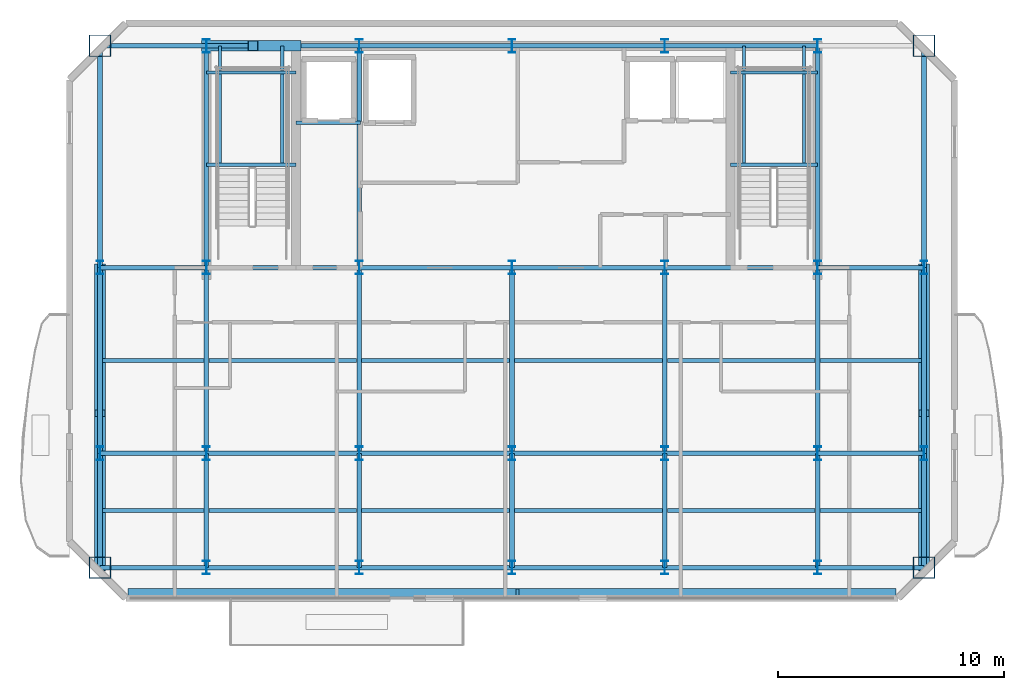
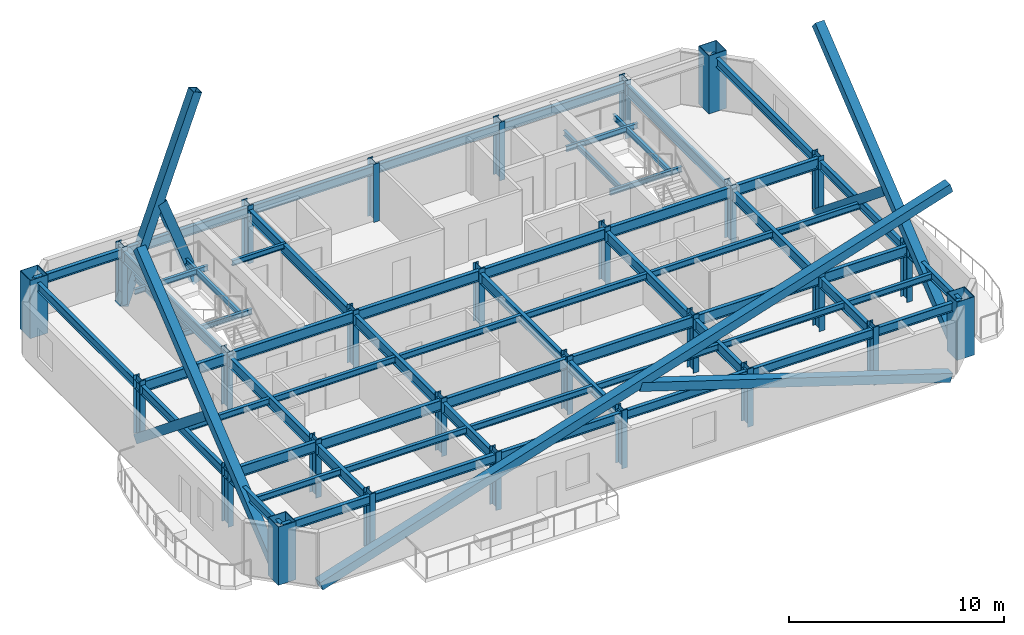
# One storey, part 1 of 7: 63 beams, 28 columns, 8 members.
"""IFC4 building model written with IfcOpenShell, lengths in metres."""

from ifc_helpers import new_model, si_unit, direction, frame, origin, origin_2d, place, context, subcontext, project, spatial, hollow_rectangle, i_section, extrude, material, material_profile, profile_set, type_object, element, save


model = new_model("IFC4")

# Units and contexts
model_context = context("Model", 3, precision=1e-05, world=origin(), true_north=direction((0.0, 1.0)))
body_context = subcontext(model_context, "Body", "Model", "MODEL_VIEW")
ifc_project = project(units=[si_unit("LENGTHUNIT", "METRE"), si_unit("AREAUNIT", "SQUARE_METRE"), si_unit("VOLUMEUNIT", "CUBIC_METRE"), si_unit("PLANEANGLEUNIT", "RADIAN"), si_unit("MASSUNIT", "GRAM", prefix="KILO")], contexts=[model_context])

# Site, building, storey
site_placement = place(None, origin())
site = spatial("IfcSite", under=ifc_project, at=site_placement, CompositionType="ELEMENT")
building_placement = place(site_placement, origin())
building = spatial("IfcBuilding", under=site, at=building_placement, Name="Haevon Station Towers", CompositionType="ELEMENT")
storey_placement = place(building_placement, frame((0.0, 0.0, 259.199951171875)))
storey = spatial("IfcBuildingStorey", under=building, at=storey_placement, Name="L72", CompositionType="ELEMENT", Elevation=259.199951171875)

# Columns
ifc_material_1 = material(Name="Steel S460", Category="steel")
ifc_material_profile_1 = material_profile(ifc_material_1, hollow_rectangle(XDim=0.949951171875, YDim=0.949951171875, WallThickness=0.028076171875, at=origin_2d()), Name="BOX-950x950x28")
ifc_profile_set_1 = profile_set([ifc_material_profile_1], Name="Steel S460")
column_type_1 = type_object("IfcColumnType", Name="COL-MC6", PredefinedType="COLUMN", material=ifc_profile_set_1)
for number, where, z_axis, x_axis, name in (
    (1, (19.300048828125, 24.949951171875, 0.0), (0.0, 0.0, 1.0), (1.0, 0.0, 0.0), "COL-T1-L72-01-01"),
    (2, (19.300048828125, 48.0, 0.0), (0.0, 0.0, 1.0), (1.0, 0.0, 0.0), "COL-T1-L72-01-04"),
    (3, (55.699951171875, 24.949951171875, 0.0), (0.0, 0.0, 1.0), (1.0, 0.0, 0.0), "COL-T1-L72-07-01"),
    (4, (55.699951171875, 48.0, 0.0), (0.0, 0.0, 1.0), (1.0, 0.0, 0.0), "COL-T1-L72-07-04"),
):
    element("IfcColumn", number, at=place(storey_placement, frame(where, z_axis=z_axis, x_axis=x_axis)), inside=storey, type_object=column_type_1, Name=name, PredefinedType="COLUMN", context=body_context, shape_type="SweptSolid", body=[
        extrude(hollow_rectangle(XDim=0.949951171875, YDim=0.949951171875, WallThickness=0.028076171875, at=origin_2d()), origin(), (0.0, 0.0, 1.0), 3.300048828125),
    ])
ifc_material_2 = material(Name="Steel S355", Category="steel")
ifc_material_profile_2 = material_profile(ifc_material_2, i_section(OverallWidth=0.300048828125, OverallDepth=0.60009765625, WebThickness=0.013916015625, FlangeThickness=0.02490234375, at=origin_2d()), Name="H-600x300x14x25")
ifc_profile_set_2 = profile_set([ifc_material_profile_2], Name="Steel S355")
column_type_2 = type_object("IfcColumnType", Name="COL-TW4", PredefinedType="COLUMN", material=ifc_profile_set_2)
for number, where, z_axis, x_axis, name in (
    (5, (19.300048828125, 30.0, 0.0), (0.0, 0.0, 1.0), (1.0, 0.0, 0.0), "COL-T1-L72-01-02"),
    (6, (19.300048828125, 38.199951171875, 0.0), (0.0, 0.0, 1.0), (1.0, 0.0, 0.0), "COL-T1-L72-01-03"),
    (7, (24.0, 24.949951171875, 0.0), (0.0, 0.0, 1.0), (1.0, 0.0, 0.0), "COL-T1-L72-02-01"),
    (8, (24.0, 30.0, 0.0), (0.0, 0.0, 1.0), (1.0, 0.0, 0.0), "COL-T1-L72-02-02"),
    (9, (24.0, 38.199951171875, 0.0), (0.0, 0.0, 1.0), (1.0, 0.0, 0.0), "COL-T1-L72-02-03"),
    (10, (24.0, 48.0, 0.0), (0.0, 0.0, 1.0), (1.0, 0.0, 0.0), "COL-T1-L72-02-04"),
    (11, (30.75, 24.949951171875, 0.0), (0.0, 0.0, 1.0), (1.0, 0.0, 0.0), "COL-T1-L72-03-01"),
    (12, (30.75, 30.0, 0.0), (0.0, 0.0, 1.0), (1.0, 0.0, 0.0), "COL-T1-L72-03-02"),
    (13, (30.75, 38.199951171875, 0.0), (0.0, 0.0, 1.0), (1.0, 0.0, 0.0), "COL-T1-L72-03-03"),
    (14, (30.75, 48.0, 0.0), (0.0, 0.0, 1.0), (1.0, 0.0, 0.0), "COL-T1-L72-03-04"),
    (15, (37.5, 24.949951171875, 0.0), (0.0, 0.0, 1.0), (1.0, 0.0, 0.0), "COL-T1-L72-04-01"),
    (16, (37.5, 30.0, 0.0), (0.0, 0.0, 1.0), (1.0, 0.0, 0.0), "COL-T1-L72-04-02"),
    (17, (37.5, 38.199951171875, 0.0), (0.0, 0.0, 1.0), (1.0, 0.0, 0.0), "COL-T1-L72-04-03"),
    (18, (37.5, 48.0, 0.0), (0.0, 0.0, 1.0), (1.0, 0.0, 0.0), "COL-T1-L72-04-04"),
    (19, (44.25, 24.949951171875, 0.0), (0.0, 0.0, 1.0), (1.0, 0.0, 0.0), "COL-T1-L72-05-01"),
    (20, (44.25, 30.0, 0.0), (0.0, 0.0, 1.0), (1.0, 0.0, 0.0), "COL-T1-L72-05-02"),
    (21, (44.25, 38.199951171875, 0.0), (0.0, 0.0, 1.0), (1.0, 0.0, 0.0), "COL-T1-L72-05-03"),
    (22, (44.25, 48.0, 0.0), (0.0, 0.0, 1.0), (1.0, 0.0, 0.0), "COL-T1-L72-05-04"),
    (23, (51.0, 24.949951171875, 0.0), (0.0, 0.0, 1.0), (1.0, 0.0, 0.0), "COL-T1-L72-06-01"),
    (24, (51.0, 30.0, 0.0), (0.0, 0.0, 1.0), (1.0, 0.0, 0.0), "COL-T1-L72-06-02"),
    (25, (51.0, 38.199951171875, 0.0), (0.0, 0.0, 1.0), (1.0, 0.0, 0.0), "COL-T1-L72-06-03"),
    (26, (51.0, 48.0, 0.0), (0.0, 0.0, 1.0), (1.0, 0.0, 0.0), "COL-T1-L72-06-04"),
    (27, (55.699951171875, 30.0, 0.0), (0.0, 0.0, 1.0), (1.0, 0.0, 0.0), "COL-T1-L72-07-02"),
    (28, (55.699951171875, 38.199951171875, 0.0), (0.0, 0.0, 1.0), (1.0, 0.0, 0.0), "COL-T1-L72-07-03"),
):
    element("IfcColumn", number, at=place(storey_placement, frame(where, z_axis=z_axis, x_axis=x_axis)), inside=storey, type_object=column_type_2, Name=name, PredefinedType="COLUMN", context=body_context, shape_type="SweptSolid", body=[
        extrude(i_section(OverallWidth=0.300048828125, OverallDepth=0.60009765625, WebThickness=0.013916015625, FlangeThickness=0.02490234375, at=origin_2d()), origin(), (0.0, 0.0, 1.0), 3.300048828125),
    ])

# Beams
ifc_material_profile_3 = material_profile(ifc_material_2, i_section(OverallWidth=0.199951171875, OverallDepth=0.60009765625, WebThickness=0.010986328125, FlangeThickness=0.01708984375, at=origin_2d()), Name="H-600x200x11x17")
ifc_profile_set_3 = profile_set([ifc_material_profile_3], Name="Steel S355")
beam_type_1 = type_object("IfcBeamType", Name="BM-G600", PredefinedType="BEAM", material=ifc_profile_set_3)
beam_1_placement = place(storey_placement, frame((19.300048828125, 30.0, 2.75), z_axis=(1.0, 0.0, 0.0), x_axis=(0.0, 1.0, 0.0)))
element("IfcBeam", 29, at=beam_1_placement, inside=storey, type_object=beam_type_1, Name="BM-T1U-L72-02-01", PredefinedType="BEAM", context=body_context, shape_type="SweptSolid", body=[
    extrude(i_section(OverallWidth=0.199951171875, OverallDepth=0.60009765625, WebThickness=0.010986328125, FlangeThickness=0.01708984375, at=origin_2d()), origin(), (0.0, 0.0, 1.0), 4.699951171875),
])
for number, where, z_axis, x_axis, name in (
    (30, (24.0, 30.0, 2.75), (1.0, 0.0, 0.0), (0.0, 1.0, 0.0), "BM-T1U-L72-02-02"),
    (31, (30.75, 30.0, 2.75), (1.0, 0.0, 0.0), (0.0, 1.0, 0.0), "BM-T1U-L72-02-03"),
    (32, (37.5, 30.0, 2.75), (1.0, 0.0, 0.0), (0.0, 1.0, 0.0), "BM-T1U-L72-02-04"),
    (33, (44.25, 30.0, 2.75), (1.0, 0.0, 0.0), (0.0, 1.0, 0.0), "BM-T1U-L72-02-05"),
):
    element("IfcBeam", number, at=place(storey_placement, frame(where, z_axis=z_axis, x_axis=x_axis)), inside=storey, type_object=beam_type_1, Name=name, PredefinedType="BEAM", context=body_context, shape_type="SweptSolid", body=[
        extrude(i_section(OverallWidth=0.199951171875, OverallDepth=0.60009765625, WebThickness=0.010986328125, FlangeThickness=0.01708984375, at=origin_2d()), origin(), (0.0, 0.0, 1.0), 6.75),
    ])
for number, where, z_axis, x_axis, name in (
    (34, (51.0, 30.0, 2.75), (1.0, 0.0, 0.0), (0.0, 1.0, 0.0), "BM-T1U-L72-02-06"),
    (35, (19.300048828125, 38.199951171875, 2.75), (1.0, 0.0, 0.0), (0.0, 1.0, 0.0), "BM-T1U-L72-03-01"),
):
    element("IfcBeam", number, at=place(storey_placement, frame(where, z_axis=z_axis, x_axis=x_axis)), inside=storey, type_object=beam_type_1, Name=name, PredefinedType="BEAM", context=body_context, shape_type="SweptSolid", body=[
        extrude(i_section(OverallWidth=0.199951171875, OverallDepth=0.60009765625, WebThickness=0.010986328125, FlangeThickness=0.01708984375, at=origin_2d()), origin(), (0.0, 0.0, 1.0), 4.699951171875),
    ])
for number, where, z_axis, x_axis, name in (
    (36, (24.0, 38.199951171875, 2.75), (1.0, 0.0, 0.0), (0.0, 1.0, 0.0), "BM-T1U-L72-03-02"),
    (37, (30.75, 38.199951171875, 2.75), (1.0, 0.0, 0.0), (0.0, 1.0, 0.0), "BM-T1U-L72-03-03"),
    (38, (37.5, 38.199951171875, 2.75), (1.0, 0.0, 0.0), (0.0, 1.0, 0.0), "BM-T1U-L72-03-04"),
    (39, (44.25, 38.199951171875, 2.75), (1.0, 0.0, 0.0), (0.0, 1.0, 0.0), "BM-T1U-L72-03-05"),
):
    element("IfcBeam", number, at=place(storey_placement, frame(where, z_axis=z_axis, x_axis=x_axis)), inside=storey, type_object=beam_type_1, Name=name, PredefinedType="BEAM", context=body_context, shape_type="SweptSolid", body=[
        extrude(i_section(OverallWidth=0.199951171875, OverallDepth=0.60009765625, WebThickness=0.010986328125, FlangeThickness=0.01708984375, at=origin_2d()), origin(), (0.0, 0.0, 1.0), 6.75),
    ])
beam_2_placement = place(storey_placement, frame((51.0, 38.199951171875, 2.75), z_axis=(1.0, 0.0, 0.0), x_axis=(0.0, 1.0, 0.0)))
element("IfcBeam", 40, at=beam_2_placement, inside=storey, type_object=beam_type_1, Name="BM-T1U-L72-03-06", PredefinedType="BEAM", context=body_context, shape_type="SweptSolid", body=[
    extrude(i_section(OverallWidth=0.199951171875, OverallDepth=0.60009765625, WebThickness=0.010986328125, FlangeThickness=0.01708984375, at=origin_2d()), origin(), (0.0, 0.0, 1.0), 4.699951171875),
])
beam_3_placement = place(storey_placement, frame((24.0, 24.949951171875, 2.75), z_axis=(0.0, 1.0, 0.0), x_axis=(-1.0, 0.0, 0.0)))
element("IfcBeam", 41, at=beam_3_placement, inside=storey, type_object=beam_type_1, Name="BM-T1V-L72-02-01", PredefinedType="BEAM", context=body_context, shape_type="SweptSolid", body=[
    extrude(i_section(OverallWidth=0.199951171875, OverallDepth=0.60009765625, WebThickness=0.010986328125, FlangeThickness=0.01708984375, at=origin_2d()), origin(), (0.0, 0.0, 1.0), 5.050048828125),
])
beam_4_placement = place(storey_placement, frame((24.0, 30.0, 2.75), z_axis=(0.0, 1.0, 0.0), x_axis=(-1.0, 0.0, 0.0)))
element("IfcBeam", 42, at=beam_4_placement, inside=storey, type_object=beam_type_1, Name="BM-T1V-L72-02-02", PredefinedType="BEAM", context=body_context, shape_type="SweptSolid", body=[
    extrude(i_section(OverallWidth=0.199951171875, OverallDepth=0.60009765625, WebThickness=0.010986328125, FlangeThickness=0.01708984375, at=origin_2d()), origin(), (0.0, 0.0, 1.0), 8.199951171875),
])
beam_5_placement = place(storey_placement, frame((24.0, 38.199951171875, 2.75), z_axis=(0.0, 1.0, 0.0), x_axis=(-1.0, 0.0, 0.0)))
element("IfcBeam", 43, at=beam_5_placement, inside=storey, type_object=beam_type_1, Name="BM-T1V-L72-02-03", PredefinedType="BEAM", context=body_context, shape_type="SweptSolid", body=[
    extrude(i_section(OverallWidth=0.199951171875, OverallDepth=0.60009765625, WebThickness=0.010986328125, FlangeThickness=0.01708984375, at=origin_2d()), origin(), (0.0, 0.0, 1.0), 9.800048828125),
])
beam_6_placement = place(storey_placement, frame((30.75, 24.949951171875, 2.75), z_axis=(0.0, 1.0, 0.0), x_axis=(-1.0, 0.0, 0.0)))
element("IfcBeam", 44, at=beam_6_placement, inside=storey, type_object=beam_type_1, Name="BM-T1V-L72-03-01", PredefinedType="BEAM", context=body_context, shape_type="SweptSolid", body=[
    extrude(i_section(OverallWidth=0.199951171875, OverallDepth=0.60009765625, WebThickness=0.010986328125, FlangeThickness=0.01708984375, at=origin_2d()), origin(), (0.0, 0.0, 1.0), 5.050048828125),
])
beam_7_placement = place(storey_placement, frame((30.75, 30.0, 2.75), z_axis=(0.0, 1.0, 0.0), x_axis=(-1.0, 0.0, 0.0)))
element("IfcBeam", 45, at=beam_7_placement, inside=storey, type_object=beam_type_1, Name="BM-T1V-L72-03-02", PredefinedType="BEAM", context=body_context, shape_type="SweptSolid", body=[
    extrude(i_section(OverallWidth=0.199951171875, OverallDepth=0.60009765625, WebThickness=0.010986328125, FlangeThickness=0.01708984375, at=origin_2d()), origin(), (0.0, 0.0, 1.0), 8.199951171875),
])
beam_8_placement = place(storey_placement, frame((30.75, 38.199951171875, 2.75), z_axis=(0.0, 1.0, 0.0), x_axis=(-1.0, 0.0, 0.0)))
element("IfcBeam", 46, at=beam_8_placement, inside=storey, type_object=beam_type_1, Name="BM-T1V-L72-03-03", PredefinedType="BEAM", context=body_context, shape_type="SweptSolid", body=[
    extrude(i_section(OverallWidth=0.199951171875, OverallDepth=0.60009765625, WebThickness=0.010986328125, FlangeThickness=0.01708984375, at=origin_2d()), origin(), (0.0, 0.0, 1.0), 9.800048828125),
])
beam_9_placement = place(storey_placement, frame((37.5, 24.949951171875, 2.75), z_axis=(0.0, 1.0, 0.0), x_axis=(-1.0, 0.0, 0.0)))
element("IfcBeam", 47, at=beam_9_placement, inside=storey, type_object=beam_type_1, Name="BM-T1V-L72-04-01", PredefinedType="BEAM", context=body_context, shape_type="SweptSolid", body=[
    extrude(i_section(OverallWidth=0.199951171875, OverallDepth=0.60009765625, WebThickness=0.010986328125, FlangeThickness=0.01708984375, at=origin_2d()), origin(), (0.0, 0.0, 1.0), 5.050048828125),
])
beam_10_placement = place(storey_placement, frame((37.5, 30.0, 2.75), z_axis=(0.0, 1.0, 0.0), x_axis=(-1.0, 0.0, 0.0)))
element("IfcBeam", 48, at=beam_10_placement, inside=storey, type_object=beam_type_1, Name="BM-T1V-L72-04-02", PredefinedType="BEAM", context=body_context, shape_type="SweptSolid", body=[
    extrude(i_section(OverallWidth=0.199951171875, OverallDepth=0.60009765625, WebThickness=0.010986328125, FlangeThickness=0.01708984375, at=origin_2d()), origin(), (0.0, 0.0, 1.0), 8.199951171875),
])
beam_11_placement = place(storey_placement, frame((44.25, 24.949951171875, 2.75), z_axis=(0.0, 1.0, 0.0), x_axis=(-1.0, 0.0, 0.0)))
element("IfcBeam", 49, at=beam_11_placement, inside=storey, type_object=beam_type_1, Name="BM-T1V-L72-05-01", PredefinedType="BEAM", context=body_context, shape_type="SweptSolid", body=[
    extrude(i_section(OverallWidth=0.199951171875, OverallDepth=0.60009765625, WebThickness=0.010986328125, FlangeThickness=0.01708984375, at=origin_2d()), origin(), (0.0, 0.0, 1.0), 5.050048828125),
])
beam_12_placement = place(storey_placement, frame((44.25, 30.0, 2.75), z_axis=(0.0, 1.0, 0.0), x_axis=(-1.0, 0.0, 0.0)))
element("IfcBeam", 50, at=beam_12_placement, inside=storey, type_object=beam_type_1, Name="BM-T1V-L72-05-02", PredefinedType="BEAM", context=body_context, shape_type="SweptSolid", body=[
    extrude(i_section(OverallWidth=0.199951171875, OverallDepth=0.60009765625, WebThickness=0.010986328125, FlangeThickness=0.01708984375, at=origin_2d()), origin(), (0.0, 0.0, 1.0), 8.199951171875),
])
beam_13_placement = place(storey_placement, frame((51.0, 24.949951171875, 2.75), z_axis=(0.0, 1.0, 0.0), x_axis=(-1.0, 0.0, 0.0)))
element("IfcBeam", 51, at=beam_13_placement, inside=storey, type_object=beam_type_1, Name="BM-T1V-L72-06-01", PredefinedType="BEAM", context=body_context, shape_type="SweptSolid", body=[
    extrude(i_section(OverallWidth=0.199951171875, OverallDepth=0.60009765625, WebThickness=0.010986328125, FlangeThickness=0.01708984375, at=origin_2d()), origin(), (0.0, 0.0, 1.0), 5.050048828125),
])
beam_14_placement = place(storey_placement, frame((51.0, 30.0, 2.75), z_axis=(0.0, 1.0, 0.0), x_axis=(-1.0, 0.0, 0.0)))
element("IfcBeam", 52, at=beam_14_placement, inside=storey, type_object=beam_type_1, Name="BM-T1V-L72-06-02", PredefinedType="BEAM", context=body_context, shape_type="SweptSolid", body=[
    extrude(i_section(OverallWidth=0.199951171875, OverallDepth=0.60009765625, WebThickness=0.010986328125, FlangeThickness=0.01708984375, at=origin_2d()), origin(), (0.0, 0.0, 1.0), 8.199951171875),
])
beam_15_placement = place(storey_placement, frame((51.0, 38.199951171875, 2.75), z_axis=(0.0, 1.0, 0.0), x_axis=(-1.0, 0.0, 0.0)))
element("IfcBeam", 53, at=beam_15_placement, inside=storey, type_object=beam_type_1, Name="BM-T1V-L72-06-03", PredefinedType="BEAM", context=body_context, shape_type="SweptSolid", body=[
    extrude(i_section(OverallWidth=0.199951171875, OverallDepth=0.60009765625, WebThickness=0.010986328125, FlangeThickness=0.01708984375, at=origin_2d()), origin(), (0.0, 0.0, 1.0), 9.800048828125),
])
ifc_material_profile_4 = material_profile(ifc_material_2, i_section(OverallWidth=0.175048828125, OverallDepth=0.35009765625, WebThickness=0.007080078125, FlangeThickness=0.010986328125, at=origin_2d()), Name="H-350x175x7x11")
ifc_profile_set_4 = profile_set([ifc_material_profile_4], Name="Steel S355")
beam_type_2 = type_object("IfcBeamType", Name="BM-J350", PredefinedType="JOIST", material=ifc_profile_set_4)
beam_16_placement = place(storey_placement, frame((19.409912109375, 27.47509765625, 2.875), z_axis=(1.0, 0.0, 0.0), x_axis=(0.0, 1.0, 0.0)))
element("IfcBeam", 54, at=beam_16_placement, inside=storey, type_object=beam_type_2, Name="BM-T1J-L72-01-01", PredefinedType="JOIST", context=body_context, shape_type="SweptSolid", body=[
    extrude(i_section(OverallWidth=0.175048828125, OverallDepth=0.35009765625, WebThickness=0.007080078125, FlangeThickness=0.010986328125, at=origin_2d()), origin(), (0.0, 0.0, 1.0), 4.47998046875),
])
for number, where, z_axis, x_axis, name in (
    (55, (24.110107421875, 27.47509765625, 2.875), (1.0, 0.0, 0.0), (0.0, 1.0, 0.0), "BM-T1J-L72-01-02"),
    (56, (30.860107421875, 27.47509765625, 2.875), (1.0, 0.0, 0.0), (0.0, 1.0, 0.0), "BM-T1J-L72-01-03"),
    (57, (37.610107421875, 27.47509765625, 2.875), (1.0, 0.0, 0.0), (0.0, 1.0, 0.0), "BM-T1J-L72-01-04"),
    (58, (44.360107421875, 27.47509765625, 2.875), (1.0, 0.0, 0.0), (0.0, 1.0, 0.0), "BM-T1J-L72-01-05"),
):
    element("IfcBeam", number, at=place(storey_placement, frame(where, z_axis=z_axis, x_axis=x_axis)), inside=storey, type_object=beam_type_2, Name=name, PredefinedType="JOIST", context=body_context, shape_type="SweptSolid", body=[
        extrude(i_section(OverallWidth=0.175048828125, OverallDepth=0.35009765625, WebThickness=0.007080078125, FlangeThickness=0.010986328125, at=origin_2d()), origin(), (0.0, 0.0, 1.0), 6.52978515625),
    ])
for number, where, z_axis, x_axis, name in (
    (59, (51.110107421875, 27.47509765625, 2.875), (1.0, 0.0, 0.0), (0.0, 1.0, 0.0), "BM-T1J-L72-01-06"),
    (60, (19.409912109375, 34.10009765625, 2.875), (1.0, 0.0, 0.0), (0.0, 1.0, 0.0), "BM-T1J-L72-02-01"),
):
    element("IfcBeam", number, at=place(storey_placement, frame(where, z_axis=z_axis, x_axis=x_axis)), inside=storey, type_object=beam_type_2, Name=name, PredefinedType="JOIST", context=body_context, shape_type="SweptSolid", body=[
        extrude(i_section(OverallWidth=0.175048828125, OverallDepth=0.35009765625, WebThickness=0.007080078125, FlangeThickness=0.010986328125, at=origin_2d()), origin(), (0.0, 0.0, 1.0), 4.47998046875),
    ])
for number, where, z_axis, x_axis, name in (
    (61, (24.110107421875, 34.10009765625, 2.875), (1.0, 0.0, 0.0), (0.0, 1.0, 0.0), "BM-T1J-L72-02-02"),
    (62, (30.860107421875, 34.10009765625, 2.875), (1.0, 0.0, 0.0), (0.0, 1.0, 0.0), "BM-T1J-L72-02-03"),
    (63, (37.610107421875, 34.10009765625, 2.875), (1.0, 0.0, 0.0), (0.0, 1.0, 0.0), "BM-T1J-L72-02-04"),
    (64, (44.360107421875, 34.10009765625, 2.875), (1.0, 0.0, 0.0), (0.0, 1.0, 0.0), "BM-T1J-L72-02-05"),
):
    element("IfcBeam", number, at=place(storey_placement, frame(where, z_axis=z_axis, x_axis=x_axis)), inside=storey, type_object=beam_type_2, Name=name, PredefinedType="JOIST", context=body_context, shape_type="SweptSolid", body=[
        extrude(i_section(OverallWidth=0.175048828125, OverallDepth=0.35009765625, WebThickness=0.007080078125, FlangeThickness=0.010986328125, at=origin_2d()), origin(), (0.0, 0.0, 1.0), 6.52978515625),
    ])
beam_17_placement = place(storey_placement, frame((51.110107421875, 34.10009765625, 2.875), z_axis=(1.0, 0.0, 0.0), x_axis=(0.0, 1.0, 0.0)))
element("IfcBeam", 65, at=beam_17_placement, inside=storey, type_object=beam_type_2, Name="BM-T1J-L72-02-06", PredefinedType="JOIST", context=body_context, shape_type="SweptSolid", body=[
    extrude(i_section(OverallWidth=0.175048828125, OverallDepth=0.35009765625, WebThickness=0.007080078125, FlangeThickness=0.010986328125, at=origin_2d()), origin(), (0.0, 0.0, 1.0), 4.47998046875),
])
ifc_material_profile_5 = material_profile(ifc_material_2, i_section(OverallWidth=0.14990234375, OverallDepth=0.300048828125, WebThickness=0.006591796875, FlangeThickness=0.009033203125, at=origin_2d()), Name="H-300x150x6.5x9")
ifc_profile_set_5 = profile_set([ifc_material_profile_5], Name="Steel S355")
beam_type_3 = type_object("IfcBeamType", Name="BM-LIN300", PredefinedType="LINTEL", material=ifc_profile_set_5)
for number, where, z_axis, x_axis, name in (
    (66, (24.0, 42.743896484375, 1.300048828125), (1.0, 0.0, 0.0), (0.0, 1.0, 0.0), "BM-ST1L-L72-1-S"),
    (67, (24.0, 46.820068359375, 1.300048828125), (1.0, 0.0, 0.0), (0.0, 1.0, 0.0), "BM-ST1L-L72-1-N"),
):
    element("IfcBeam", number, at=place(storey_placement, frame(where, z_axis=z_axis, x_axis=x_axis)), inside=storey, type_object=beam_type_3, Name=name, PredefinedType="LINTEL", context=body_context, shape_type="SweptSolid", body=[
        extrude(i_section(OverallWidth=0.14990234375, OverallDepth=0.300048828125, WebThickness=0.006591796875, FlangeThickness=0.009033203125, at=origin_2d()), origin(), (0.0, 0.0, 1.0), 3.949951171875),
    ])
for number, where, z_axis, x_axis, name in (
    (68, (24.60009765625, 42.743896484375, 1.300048828125), (0.0, 1.0, 0.0), (-1.0, 0.0, 0.0), "BM-ST1L-L72-1-W"),
    (69, (27.35009765625, 42.743896484375, 1.300048828125), (0.0, 1.0, 0.0), (-1.0, 0.0, 0.0), "BM-ST1L-L72-1-E"),
):
    element("IfcBeam", number, at=place(storey_placement, frame(where, z_axis=z_axis, x_axis=x_axis)), inside=storey, type_object=beam_type_3, Name=name, PredefinedType="LINTEL", context=body_context, shape_type="SweptSolid", body=[
        extrude(i_section(OverallWidth=0.14990234375, OverallDepth=0.300048828125, WebThickness=0.006591796875, FlangeThickness=0.009033203125, at=origin_2d()), origin(), (0.0, 0.0, 1.0), 5.256103515625),
    ])
for number, where, z_axis, x_axis, name in (
    (70, (47.14990234375, 42.743896484375, 1.300048828125), (1.0, 0.0, 0.0), (0.0, 1.0, 0.0), "BM-ST2L-L72-1-S"),
    (71, (47.14990234375, 46.820068359375, 1.300048828125), (1.0, 0.0, 0.0), (0.0, 1.0, 0.0), "BM-ST2L-L72-1-N"),
):
    element("IfcBeam", number, at=place(storey_placement, frame(where, z_axis=z_axis, x_axis=x_axis)), inside=storey, type_object=beam_type_3, Name=name, PredefinedType="LINTEL", context=body_context, shape_type="SweptSolid", body=[
        extrude(i_section(OverallWidth=0.14990234375, OverallDepth=0.300048828125, WebThickness=0.006591796875, FlangeThickness=0.009033203125, at=origin_2d()), origin(), (0.0, 0.0, 1.0), 3.85009765625),
    ])
for number, where, z_axis, x_axis, name in (
    (72, (47.75, 42.743896484375, 1.300048828125), (0.0, 1.0, 0.0), (-1.0, 0.0, 0.0), "BM-ST2L-L72-1-W"),
    (73, (50.39990234375, 42.743896484375, 1.300048828125), (0.0, 1.0, 0.0), (-1.0, 0.0, 0.0), "BM-ST2L-L72-1-E"),
):
    element("IfcBeam", number, at=place(storey_placement, frame(where, z_axis=z_axis, x_axis=x_axis)), inside=storey, type_object=beam_type_3, Name=name, PredefinedType="LINTEL", context=body_context, shape_type="SweptSolid", body=[
        extrude(i_section(OverallWidth=0.14990234375, OverallDepth=0.300048828125, WebThickness=0.006591796875, FlangeThickness=0.009033203125, at=origin_2d()), origin(), (0.0, 0.0, 1.0), 5.256103515625),
    ])
beam_18_placement = place(storey_placement, frame((27.949951171875, 44.60009765625, 2.900146484375), z_axis=(1.0, 0.0, 0.0), x_axis=(0.0, 1.0, 0.0)))
element("IfcBeam", 74, at=beam_18_placement, inside=storey, type_object=beam_type_3, Name="BM-T1LIN-L72", PredefinedType="LINTEL", context=body_context, shape_type="SweptSolid", body=[
    extrude(i_section(OverallWidth=0.14990234375, OverallDepth=0.300048828125, WebThickness=0.006591796875, FlangeThickness=0.009033203125, at=origin_2d()), origin(), (0.0, 0.0, 1.0), 2.85009765625),
])
ifc_material_profile_6 = material_profile(ifc_material_2, i_section(OverallWidth=0.199951171875, OverallDepth=0.5, WebThickness=0.010009765625, FlangeThickness=0.01611328125, at=origin_2d()), Name="H-500x200x10x16")
ifc_profile_set_6 = profile_set([ifc_material_profile_6], Name="Steel S355")
beam_type_4 = type_object("IfcBeamType", Name="BM-SP500", PredefinedType="SPANDREL", material=ifc_profile_set_6)
beam_19_placement = place(storey_placement, frame((19.300048828125, 24.949951171875, 2.800048828125), z_axis=(1.0, 0.0, 0.0), x_axis=(0.0, 1.0, 0.0)))
element("IfcBeam", 75, at=beam_19_placement, inside=storey, type_object=beam_type_4, Name="BM-T1U-L72-01-01", PredefinedType="SPANDREL", context=body_context, shape_type="SweptSolid", body=[
    extrude(i_section(OverallWidth=0.199951171875, OverallDepth=0.5, WebThickness=0.010009765625, FlangeThickness=0.01611328125, at=origin_2d()), origin(), (0.0, 0.0, 1.0), 4.699951171875),
])
for number, where, z_axis, x_axis, name in (
    (76, (24.0, 24.949951171875, 2.800048828125), (1.0, 0.0, 0.0), (0.0, 1.0, 0.0), "BM-T1U-L72-01-02"),
    (77, (30.75, 24.949951171875, 2.800048828125), (1.0, 0.0, 0.0), (0.0, 1.0, 0.0), "BM-T1U-L72-01-03"),
    (78, (37.5, 24.949951171875, 2.800048828125), (1.0, 0.0, 0.0), (0.0, 1.0, 0.0), "BM-T1U-L72-01-04"),
    (79, (44.25, 24.949951171875, 2.800048828125), (1.0, 0.0, 0.0), (0.0, 1.0, 0.0), "BM-T1U-L72-01-05"),
):
    element("IfcBeam", number, at=place(storey_placement, frame(where, z_axis=z_axis, x_axis=x_axis)), inside=storey, type_object=beam_type_4, Name=name, PredefinedType="SPANDREL", context=body_context, shape_type="SweptSolid", body=[
        extrude(i_section(OverallWidth=0.199951171875, OverallDepth=0.5, WebThickness=0.010009765625, FlangeThickness=0.01611328125, at=origin_2d()), origin(), (0.0, 0.0, 1.0), 6.75),
    ])
for number, where, z_axis, x_axis, name in (
    (80, (51.0, 24.949951171875, 2.800048828125), (1.0, 0.0, 0.0), (0.0, 1.0, 0.0), "BM-T1U-L72-01-06"),
    (81, (19.300048828125, 48.0, 2.800048828125), (1.0, 0.0, 0.0), (0.0, 1.0, 0.0), "BM-T1U-L72-04-01"),
):
    element("IfcBeam", number, at=place(storey_placement, frame(where, z_axis=z_axis, x_axis=x_axis)), inside=storey, type_object=beam_type_4, Name=name, PredefinedType="SPANDREL", context=body_context, shape_type="SweptSolid", body=[
        extrude(i_section(OverallWidth=0.199951171875, OverallDepth=0.5, WebThickness=0.010009765625, FlangeThickness=0.01611328125, at=origin_2d()), origin(), (0.0, 0.0, 1.0), 4.699951171875),
    ])
for number, where, z_axis, x_axis, name in (
    (82, (24.0, 48.0, 2.800048828125), (1.0, 0.0, 0.0), (0.0, 1.0, 0.0), "BM-T1U-L72-04-02"),
    (83, (30.75, 48.0, 2.800048828125), (1.0, 0.0, 0.0), (0.0, 1.0, 0.0), "BM-T1U-L72-04-03"),
    (84, (37.5, 48.0, 2.800048828125), (1.0, 0.0, 0.0), (0.0, 1.0, 0.0), "BM-T1U-L72-04-04"),
    (85, (44.25, 48.0, 2.800048828125), (1.0, 0.0, 0.0), (0.0, 1.0, 0.0), "BM-T1U-L72-04-05"),
):
    element("IfcBeam", number, at=place(storey_placement, frame(where, z_axis=z_axis, x_axis=x_axis)), inside=storey, type_object=beam_type_4, Name=name, PredefinedType="SPANDREL", context=body_context, shape_type="SweptSolid", body=[
        extrude(i_section(OverallWidth=0.199951171875, OverallDepth=0.5, WebThickness=0.010009765625, FlangeThickness=0.01611328125, at=origin_2d()), origin(), (0.0, 0.0, 1.0), 6.75),
    ])
beam_20_placement = place(storey_placement, frame((19.300048828125, 24.949951171875, 2.800048828125), z_axis=(0.0, 1.0, 0.0), x_axis=(-1.0, 0.0, 0.0)))
element("IfcBeam", 86, at=beam_20_placement, inside=storey, type_object=beam_type_4, Name="BM-T1V-L72-01-01", PredefinedType="SPANDREL", context=body_context, shape_type="SweptSolid", body=[
    extrude(i_section(OverallWidth=0.199951171875, OverallDepth=0.5, WebThickness=0.010009765625, FlangeThickness=0.01611328125, at=origin_2d()), origin(), (0.0, 0.0, 1.0), 5.050048828125),
])
beam_21_placement = place(storey_placement, frame((19.300048828125, 30.0, 2.800048828125), z_axis=(0.0, 1.0, 0.0), x_axis=(-1.0, 0.0, 0.0)))
element("IfcBeam", 87, at=beam_21_placement, inside=storey, type_object=beam_type_4, Name="BM-T1V-L72-01-02", PredefinedType="SPANDREL", context=body_context, shape_type="SweptSolid", body=[
    extrude(i_section(OverallWidth=0.199951171875, OverallDepth=0.5, WebThickness=0.010009765625, FlangeThickness=0.01611328125, at=origin_2d()), origin(), (0.0, 0.0, 1.0), 8.199951171875),
])
beam_22_placement = place(storey_placement, frame((19.300048828125, 38.199951171875, 2.800048828125), z_axis=(0.0, 1.0, 0.0), x_axis=(-1.0, 0.0, 0.0)))
element("IfcBeam", 88, at=beam_22_placement, inside=storey, type_object=beam_type_4, Name="BM-T1V-L72-01-03", PredefinedType="SPANDREL", context=body_context, shape_type="SweptSolid", body=[
    extrude(i_section(OverallWidth=0.199951171875, OverallDepth=0.5, WebThickness=0.010009765625, FlangeThickness=0.01611328125, at=origin_2d()), origin(), (0.0, 0.0, 1.0), 9.800048828125),
])
beam_23_placement = place(storey_placement, frame((55.699951171875, 24.949951171875, 2.800048828125), z_axis=(0.0, 1.0, 0.0), x_axis=(-1.0, 0.0, 0.0)))
element("IfcBeam", 89, at=beam_23_placement, inside=storey, type_object=beam_type_4, Name="BM-T1V-L72-07-01", PredefinedType="SPANDREL", context=body_context, shape_type="SweptSolid", body=[
    extrude(i_section(OverallWidth=0.199951171875, OverallDepth=0.5, WebThickness=0.010009765625, FlangeThickness=0.01611328125, at=origin_2d()), origin(), (0.0, 0.0, 1.0), 5.050048828125),
])
beam_24_placement = place(storey_placement, frame((55.699951171875, 30.0, 2.800048828125), z_axis=(0.0, 1.0, 0.0), x_axis=(-1.0, 0.0, 0.0)))
element("IfcBeam", 90, at=beam_24_placement, inside=storey, type_object=beam_type_4, Name="BM-T1V-L72-07-02", PredefinedType="SPANDREL", context=body_context, shape_type="SweptSolid", body=[
    extrude(i_section(OverallWidth=0.199951171875, OverallDepth=0.5, WebThickness=0.010009765625, FlangeThickness=0.01611328125, at=origin_2d()), origin(), (0.0, 0.0, 1.0), 8.199951171875),
])
beam_25_placement = place(storey_placement, frame((55.699951171875, 38.199951171875, 2.800048828125), z_axis=(0.0, 1.0, 0.0), x_axis=(-1.0, 0.0, 0.0)))
element("IfcBeam", 91, at=beam_25_placement, inside=storey, type_object=beam_type_4, Name="BM-T1V-L72-07-03", PredefinedType="SPANDREL", context=body_context, shape_type="SweptSolid", body=[
    extrude(i_section(OverallWidth=0.199951171875, OverallDepth=0.5, WebThickness=0.010009765625, FlangeThickness=0.01611328125, at=origin_2d()), origin(), (0.0, 0.0, 1.0), 9.800048828125),
])

# Members
ifc_material_profile_7 = material_profile(ifc_material_1, hollow_rectangle(XDim=0.47998046875, YDim=0.47998046875, WallThickness=0.02490234375, at=origin_2d()), Name="RHS-480x480x25")
ifc_profile_set_7 = profile_set([ifc_material_profile_7], Name="Steel S460")
member_type = type_object("IfcMemberType", Name="MB-480", PredefinedType="BRACE", material=ifc_profile_set_7)
member_1_placement = place(storey_placement, frame((20.60009765625, 23.780029296875, -0.119873046875), z_axis=(0.952799157532, 0.0, 0.303601326423), x_axis=(0.0, 1.0, 0.0)))
element("IfcMember", 92, at=member_1_placement, inside=storey, type_object=member_type, Name="BR-T1MB-T11-S-D1", PredefinedType="BRACE", context=body_context, shape_type="SweptSolid", body=[
    extrude(hollow_rectangle(XDim=0.47998046875, YDim=0.47998046875, WallThickness=0.02490234375, at=origin_2d()), origin(), (0.0, 0.0, 1.0), 35.47412109375),
])
member_2_placement = place(storey_placement, frame((54.39990234375, 23.780029296875, -0.119873046875), z_axis=(-0.952802289463, 0.0, 0.303591497235), x_axis=(0.0, -1.0, 0.0)))
element("IfcMember", 93, at=member_2_placement, inside=storey, type_object=member_type, Name="BR-T1MB-T11-S-D2A", PredefinedType="BRACE", context=body_context, shape_type="SweptSolid", body=[
    extrude(hollow_rectangle(XDim=0.47998046875, YDim=0.47998046875, WallThickness=0.02490234375, at=origin_2d()), origin(), (0.0, 0.0, 1.0), 17.485107421875),
])
member_3_placement = place(storey_placement, frame((24.0, 48.0, -0.119873046875), z_axis=(0.344327187394, 0.0, 0.938849715354), x_axis=(0.0, 1.0, 0.0)))
element("IfcMember", 94, at=member_3_placement, inside=storey, type_object=member_type, Name="BR-T1MB-T11-N-D1", PredefinedType="BRACE", context=body_context, shape_type="SweptSolid", body=[
    extrude(hollow_rectangle(XDim=0.47998046875, YDim=0.47998046875, WallThickness=0.02490234375, at=origin_2d()), origin(), (0.0, 0.0, 1.0), 11.471435546875),
])
member_4_placement = place(storey_placement, frame((27.949951171875, 48.0, -0.119873046875), z_axis=(-0.344322671964, 0.0, 0.938851371396), x_axis=(0.0, -1.0, 0.0)))
element("IfcMember", 95, at=member_4_placement, inside=storey, type_object=member_type, Name="BR-T1MB-T11-N-D2A", PredefinedType="BRACE", context=body_context, shape_type="SweptSolid", body=[
    extrude(hollow_rectangle(XDim=0.47998046875, YDim=0.47998046875, WallThickness=0.02490234375, at=origin_2d()), origin(), (0.0, 0.0, 1.0), 5.483642578125),
])
member_5_placement = place(storey_placement, frame((19.300048828125, 24.949951171875, -0.119873046875), z_axis=(0.0, 0.775988026533, 0.63074763787), x_axis=(-1.0, 0.0, 0.0)))
element("IfcMember", 96, at=member_5_placement, inside=storey, type_object=member_type, Name="BR-T1MB-T11-W-D1", PredefinedType="BRACE", context=body_context, shape_type="SweptSolid", body=[
    extrude(hollow_rectangle(XDim=0.47998046875, YDim=0.47998046875, WallThickness=0.02490234375, at=origin_2d()), origin(), (0.0, 0.0, 1.0), 17.074951171875),
])
member_6_placement = place(storey_placement, frame((19.300048828125, 38.199951171875, -0.119873046875), z_axis=(0.0, -0.775986899265, 0.630749024707), x_axis=(1.0, 0.0, 0.0)))
element("IfcMember", 97, at=member_6_placement, inside=storey, type_object=member_type, Name="BR-T1MB-T11-W-D2A", PredefinedType="BRACE", context=body_context, shape_type="SweptSolid", body=[
    extrude(hollow_rectangle(XDim=0.47998046875, YDim=0.47998046875, WallThickness=0.02490234375, at=origin_2d()), origin(), (0.0, 0.0, 1.0), 8.285400390625),
])
member_7_placement = place(storey_placement, frame((55.699951171875, 24.949951171875, -0.119873046875), z_axis=(0.0, 0.775988026533, 0.63074763787), x_axis=(-1.0, 0.0, 0.0)))
element("IfcMember", 98, at=member_7_placement, inside=storey, type_object=member_type, Name="BR-T1MB-T11-E-D1", PredefinedType="BRACE", context=body_context, shape_type="SweptSolid", body=[
    extrude(hollow_rectangle(XDim=0.47998046875, YDim=0.47998046875, WallThickness=0.02490234375, at=origin_2d()), origin(), (0.0, 0.0, 1.0), 17.074951171875),
])
member_8_placement = place(storey_placement, frame((55.699951171875, 38.199951171875, -0.119873046875), z_axis=(0.0, -0.775986899265, 0.630749024707), x_axis=(1.0, 0.0, 0.0)))
element("IfcMember", 99, at=member_8_placement, inside=storey, type_object=member_type, Name="BR-T1MB-T11-E-D2A", PredefinedType="BRACE", context=body_context, shape_type="SweptSolid", body=[
    extrude(hollow_rectangle(XDim=0.47998046875, YDim=0.47998046875, WallThickness=0.02490234375, at=origin_2d()), origin(), (0.0, 0.0, 1.0), 8.285400390625),
])

save(model, "model.ifc")
